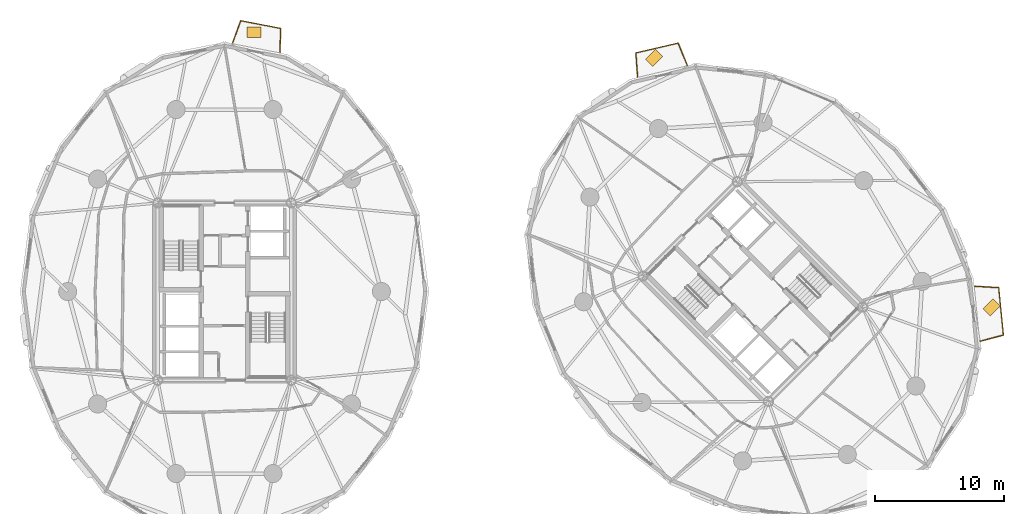
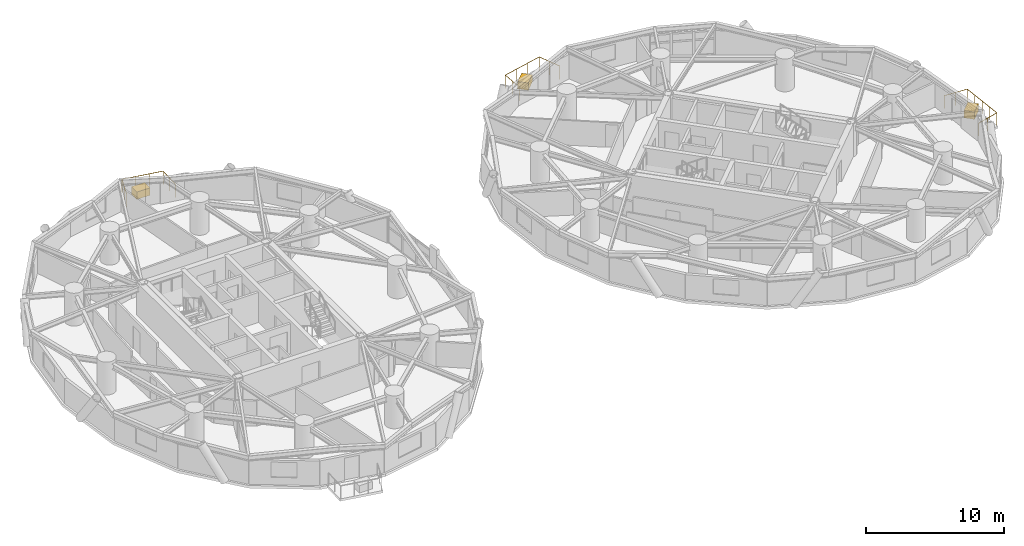
# One storey, part 17 of 17: 3 coverings, 3 railings.
"""IFC4 building model written with IfcOpenShell, lengths in metres."""

from ifc_helpers import new_model, si_unit, direction, frame, origin, origin_2d, place, context, subcontext, project, spatial, rectangle, circle, extrude, source, transform, mapped, material, layer, layer_set, type_object, element, save


model = new_model("IFC4")

# Units and contexts
model_context = context("Model", 3, precision=1e-05, world=origin(), true_north=direction((0.0, 1.0)))
body_context = subcontext(model_context, "Body", "Model", "MODEL_VIEW")
ifc_project = project(units=[si_unit("LENGTHUNIT", "METRE"), si_unit("AREAUNIT", "SQUARE_METRE"), si_unit("VOLUMEUNIT", "CUBIC_METRE"), si_unit("PLANEANGLEUNIT", "RADIAN"), si_unit("MASSUNIT", "GRAM", prefix="KILO")], contexts=[model_context])

# Site, building, storey
site_placement = place(None, origin())
site = spatial("IfcSite", under=ifc_project, at=site_placement, CompositionType="ELEMENT")
building_placement = place(site_placement, origin())
building = spatial("IfcBuilding", under=site, at=building_placement, Name="Cununo Teusaquillo Station Towers", CompositionType="ELEMENT")
storey_placement = place(building_placement, frame((0.0, 0.0, 113.800048828125)))
storey = spatial("IfcBuildingStorey", under=building, at=storey_placement, Name="L36", CompositionType="ELEMENT", Elevation=113.800048828125)

# Railings
ifc_material_1 = material(Name="Anodised dark bronze aluminium EN AW-6063-T6", Category="aluminium")
railing_type_1 = type_object("IfcRailingType", Name="RL-EXT-BALUS", PredefinedType="BALUSTRADE", material=ifc_material_1)
railing_1_placement = place(storey_placement, frame((17.1181640625, 43.771728515625, 0.0)))
element("IfcRailing", 1, at=railing_1_placement, inside=storey, type_object=railing_type_1, Name="L36 Tower A Balcony Guardrail C04", PredefinedType="BALUSTRADE", context=body_context, shape_type="SweptSolid", body=[
    extrude(circle(Radius=0.02392578125, at=origin_2d()), frame((0.0, 0.0, 1.17578125), z_axis=(0.343962021681, 0.9389835609, 0.0), x_axis=(-0.9389835609, 0.343962021681, 0.0)), (0.0, 0.0, 1.0), 1.86328125),
    extrude(circle(Radius=0.02392578125, at=origin_2d()), frame((0.640869140625, 1.74951171875, 1.17578125), z_axis=(0.981834317938, -0.189740275429, 0.0), x_axis=(0.189740275429, 0.981834317938, 0.0)), (0.0, 0.0, 1.0), 3.15380859375),
    extrude(circle(Radius=0.02392578125, at=origin_2d()), frame((3.7373046875, 1.151123046875, 1.17578125), z_axis=(-0.030662031384, -0.999529809376, 0.0), x_axis=(0.999529809376, -0.030662031384, 0.0)), (0.0, 0.0, 1.0), 1.86328125),
    extrude(circle(Radius=0.02099609375, at=origin_2d()), origin(), (0.0, 0.0, 1.0), 1.15185546875),
    extrude(circle(Radius=0.02099609375, at=origin_2d()), frame((0.3203125, 0.874755859375, 0.0)), (0.0, 0.0, 1.0), 1.15185546875),
    extrude(circle(Radius=0.02099609375, at=origin_2d()), frame((0.640869140625, 1.74951171875, 0.0)), (0.0, 0.0, 1.0), 1.15185546875),
    extrude(circle(Radius=0.02099609375, at=origin_2d()), frame((1.673095703125, 1.550048828125, 0.0)), (0.0, 0.0, 1.0), 1.15185546875),
    extrude(circle(Radius=0.02099609375, at=origin_2d()), frame((2.705078125, 1.3505859375, 0.0)), (0.0, 0.0, 1.0), 1.15185546875),
    extrude(circle(Radius=0.02099609375, at=origin_2d()), frame((3.7373046875, 1.151123046875, 0.0)), (0.0, 0.0, 1.0), 1.15185546875),
    extrude(circle(Radius=0.02099609375, at=origin_2d()), frame((3.708740234375, 0.219970703125, 0.0)), (0.0, 0.0, 1.0), 1.15185546875),
    extrude(circle(Radius=0.02099609375, at=origin_2d()), frame((3.68017578125, -0.711181640625, 0.0)), (0.0, 0.0, 1.0), 1.15185546875),
])
railing_2_placement = place(storey_placement, frame((48.55029296875, 41.15771484375, 0.0)))
element("IfcRailing", 2, at=railing_2_placement, inside=storey, type_object=railing_type_1, Name="L36 Tower B Balcony Guardrail C03", PredefinedType="BALUSTRADE", context=body_context, shape_type="SweptSolid", body=[
    extrude(circle(Radius=0.02392578125, at=origin_2d()), frame((0.0, 0.0, 1.17578125), z_axis=(-0.069053440488, 0.997612962204, 0.0), x_axis=(-0.997612962204, -0.069053440488, 0.0)), (0.0, 0.0, 1.0), 1.86669921875),
    extrude(circle(Radius=0.02392578125, at=origin_2d()), frame((-0.12890625, 1.8623046875, 1.17578125), z_axis=(0.973836929395, 0.227247959168, 0.0), x_axis=(-0.227247959168, 0.973836929395, 0.0)), (0.0, 0.0, 1.0), 3.365966796875),
    extrude(circle(Radius=0.02392578125, at=origin_2d()), frame((3.14892578125, 2.627197265625, 1.17578125), z_axis=(0.379585063145, -0.925156840669, 0.0), x_axis=(0.925156840669, 0.379585063145, 0.0)), (0.0, 0.0, 1.0), 1.866455078125),
    extrude(circle(Radius=0.02099609375, at=origin_2d()), origin(), (0.0, 0.0, 1.0), 1.15185546875),
    extrude(circle(Radius=0.02099609375, at=origin_2d()), frame((-0.064453125, 0.93115234375, 0.0)), (0.0, 0.0, 1.0), 1.15185546875),
    extrude(circle(Radius=0.02099609375, at=origin_2d()), frame((-0.12890625, 1.8623046875, 0.0)), (0.0, 0.0, 1.0), 1.15185546875),
    extrude(circle(Radius=0.02099609375, at=origin_2d()), frame((0.963623046875, 2.1171875, 0.0)), (0.0, 0.0, 1.0), 1.15185546875),
    extrude(circle(Radius=0.02099609375, at=origin_2d()), frame((2.056396484375, 2.372314453125, 0.0)), (0.0, 0.0, 1.0), 1.15185546875),
    extrude(circle(Radius=0.02099609375, at=origin_2d()), frame((3.14892578125, 2.627197265625, 0.0)), (0.0, 0.0, 1.0), 1.15185546875),
    extrude(circle(Radius=0.02099609375, at=origin_2d()), frame((3.503173828125, 1.763671875, 0.0)), (0.0, 0.0, 1.0), 1.15185546875),
    extrude(circle(Radius=0.02099609375, at=origin_2d()), frame((3.857421875, 0.900390625, 0.0)), (0.0, 0.0, 1.0), 1.15185546875),
])
ifc_material_2 = material(Name="Anodised dark bronze aluminium EN AW-6063-T6", Category="aluminium")
railing_type_2 = type_object("IfcRailingType", Name="RL-EXT-GUARD", PredefinedType="GUARDRAIL", material=ifc_material_2)
railing_3_placement = place(storey_placement, frame((74.7138671875, 24.914306640625, 0.0)))
element("IfcRailing", 3, at=railing_3_placement, inside=storey, type_object=railing_type_2, Name="L36 Tower B Balcony Guardrail C17", PredefinedType="GUARDRAIL", context=body_context, shape_type="SweptSolid", body=[
    extrude(circle(Radius=0.02392578125, at=origin_2d()), frame((0.0, 0.0, 1.1259765625), z_axis=(0.998126483753, -0.061184331575, 0.0), x_axis=(0.061184331575, 0.998126483753, 0.0)), (0.0, 0.0, 1.0), 1.871337890625),
    extrude(circle(Radius=0.02392578125, at=origin_2d()), frame((1.867919921875, -0.114501953125, 1.1259765625), z_axis=(0.098593628704, -0.99512777892, 0.0), x_axis=(0.99512777892, 0.098593628704, 0.0)), (0.0, 0.0, 1.0), 3.692138671875),
    extrude(circle(Radius=0.02392578125, at=origin_2d()), frame((2.23193359375, -3.78857421875, 1.1259765625), z_axis=(-0.966720413281, -0.255835186295, 0.0), x_axis=(0.255835186295, -0.966720413281, 0.0)), (0.0, 0.0, 1.0), 1.871337890625),
    extrude(circle(Radius=0.02099609375, at=origin_2d()), origin(), (0.0, 0.0, 1.0), 1.101806640625),
    extrude(circle(Radius=0.02099609375, at=origin_2d()), frame((0.93408203125, -0.05712890625, 0.0)), (0.0, 0.0, 1.0), 1.101806640625),
    extrude(circle(Radius=0.02099609375, at=origin_2d()), frame((1.867919921875, -0.114501953125, 0.0)), (0.0, 0.0, 1.0), 1.101806640625),
    extrude(circle(Radius=0.02099609375, at=origin_2d()), frame((1.958984375, -1.032958984375, 0.0)), (0.0, 0.0, 1.0), 1.101806640625),
    extrude(circle(Radius=0.02099609375, at=origin_2d()), frame((2.0498046875, -1.95166015625, 0.0)), (0.0, 0.0, 1.0), 1.101806640625),
    extrude(circle(Radius=0.02099609375, at=origin_2d()), frame((2.140869140625, -2.8701171875, 0.0)), (0.0, 0.0, 1.0), 1.101806640625),
    extrude(circle(Radius=0.02099609375, at=origin_2d()), frame((2.23193359375, -3.78857421875, 0.0)), (0.0, 0.0, 1.0), 1.101806640625),
    extrude(circle(Radius=0.02099609375, at=origin_2d()), frame((1.327392578125, -4.02783203125, 0.0)), (0.0, 0.0, 1.0), 1.101806640625),
    extrude(circle(Radius=0.02099609375, at=origin_2d()), frame((0.4228515625, -4.267333984375, 0.0)), (0.0, 0.0, 1.0), 1.101806640625),
])

# Coverings
ifc_material_3 = material(Name="Architectural GRC planter shell and engineered root-zone substrate", Category="concrete")
ifc_layer = layer(ifc_material_3, 0.64990234375)
ifc_layer_set = layer_set([ifc_layer], Name="Architectural GRC planter shell and engineered root-zone substrate")
covering_type = type_object("IfcCoveringType", Name="COV-TREE-PLANTER", PredefinedType="CLADDING", material=ifc_layer_set)
shared_shape = source(origin(), body_context, "Body", "SweptSolid", [
    extrude(rectangle(XDim=1.10009765625, YDim=0.800048828125, at=origin_2d()), origin(), (0.0, 0.0, 1.0), 0.64990234375),
])
for number, where, z_axis, x_axis, name in (
    (4, (18.7978515625, 44.614501953125, 0.0), (0.0, 0.0, 1.0), (1.0, 0.0, 0.0), "L36 Tower A Balcony Tree PLANTER C04"),
    (5, (49.84326171875, 42.63818359375, 0.0), (0.0, 0.0, 1.0), (0.707106781187, 0.707106781187, 0.0), "L36 Tower B Balcony Tree PLANTER C03"),
    (6, (76.031494140625, 23.277099609375, 0.0), (0.0, 0.0, 1.0), (0.707106781187, 0.707106781187, 0.0), "L36 Tower B Balcony Tree PLANTER C17"),
):
    element("IfcCovering", number, at=place(storey_placement, frame(where, z_axis=z_axis, x_axis=x_axis)), inside=storey, type_object=covering_type, Name=name, PredefinedType="CLADDING", context=body_context, shape_type="MappedRepresentation", body=[
        mapped(shared_shape, transform((0.0, 0.0, 0.0), x_axis=(1.0, 0.0, 0.0), y_axis=(0.0, 1.0, 0.0), z_axis=(0.0, 0.0, 1.0), scale=1.0)),
    ])

save(model, "model.ifc")
